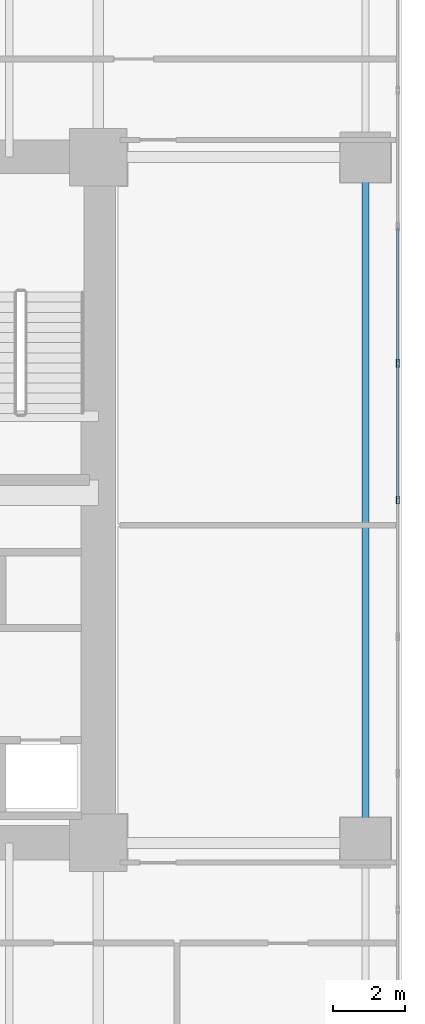
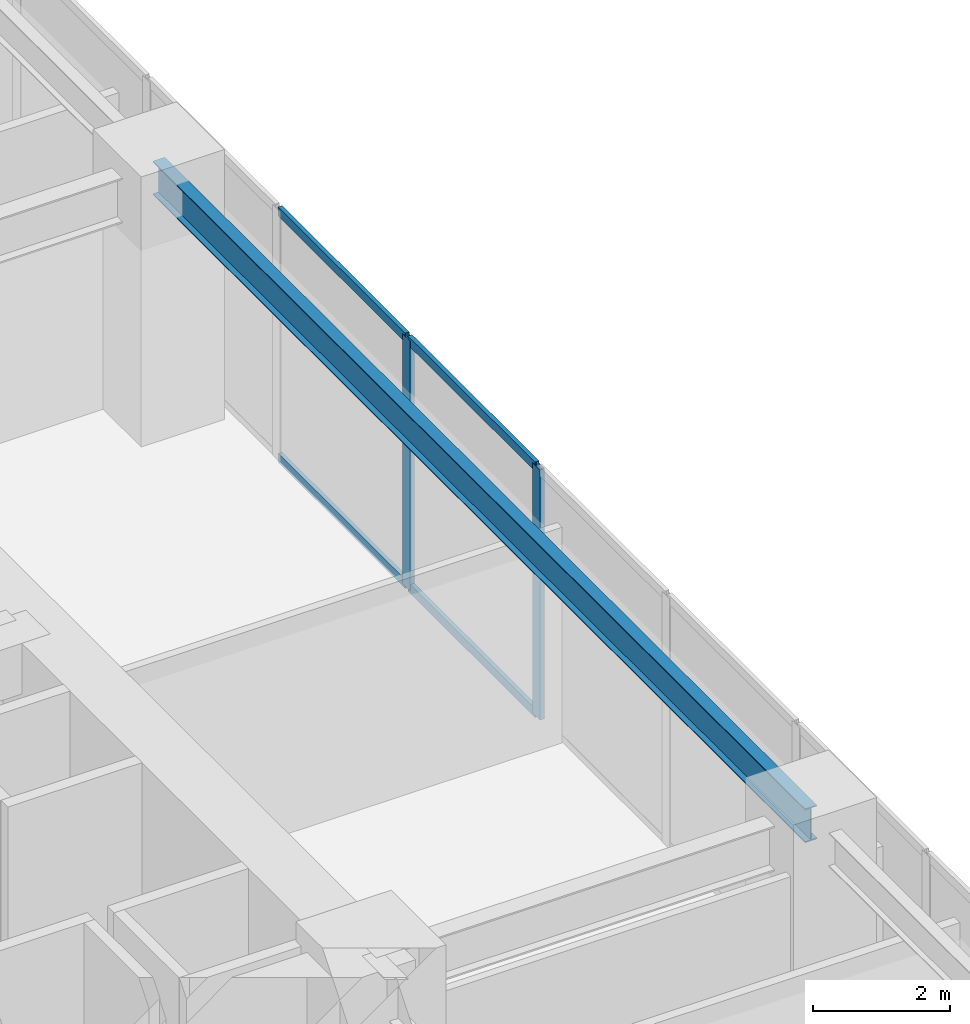
# One storey, part 20 of 33: 6 members, 1 beam, 1 element without a shape of its own.
"""IFC4 building model written with IfcOpenShell, lengths in metres."""

from ifc_helpers import new_model, si_unit, direction, frame, origin, origin_2d, place, context, subcontext, project, spatial, hollow_rectangle, i_section, extrude, source, transform, mapped, material, layer, layer_set, material_profile, profile_set, type_object, type_shapes, element, aggregate, save


model = new_model("IFC4")

# Units and contexts
model_context = context("Model", 3, precision=1e-05, world=origin(), true_north=direction((0.0, 1.0)))
body_context = subcontext(model_context, "Body", "Model", "MODEL_VIEW")
ifc_project = project(units=[si_unit("LENGTHUNIT", "METRE"), si_unit("AREAUNIT", "SQUARE_METRE"), si_unit("VOLUMEUNIT", "CUBIC_METRE"), si_unit("PLANEANGLEUNIT", "RADIAN"), si_unit("MASSUNIT", "GRAM", prefix="KILO")], contexts=[model_context])

# Site, building, storey
site_placement = place(None, origin())
site = spatial("IfcSite", under=ifc_project, at=site_placement, CompositionType="ELEMENT")
building_placement = place(site_placement, origin())
building = spatial("IfcBuilding", under=site, at=building_placement, Name="Haelvirn Gate Laboratories", CompositionType="ELEMENT")
storey_placement = place(building_placement, frame((0.0, 0.0, 10.199951171875)))
storey = spatial("IfcBuildingStorey", under=building, at=storey_placement, Name="L03", CompositionType="ELEMENT", Elevation=10.199951171875)

# Beam
ifc_material_1 = material(Name="Steel SM355", Category="steel")
ifc_material_profile_1 = material_profile(ifc_material_1, i_section(OverallWidth=0.199951171875, OverallDepth=0.60009765625, WebThickness=0.010986328125, FlangeThickness=0.01708984375, at=origin_2d()), Name="H-600x200x11x17")
ifc_profile_set_1 = profile_set([ifc_material_profile_1], Name="Steel SM355")
beam_type = type_object("IfcBeamType", Name="BM-SP-600", PredefinedType="SPANDREL", material=ifc_profile_set_1)
shared_shape_1 = source(origin(), body_context, "Body", "SweptSolid", [
    extrude(i_section(OverallWidth=0.199951171875, OverallDepth=0.60009765625, WebThickness=0.010986328125, FlangeThickness=0.01708984375, at=origin_2d()), origin(), (0.0, 0.0, 1.0), 19.0),
])
type_shapes(beam_type, [shared_shape_1])
beam_placement = place(storey_placement, frame((74.800048828125, 14.800048828125, 4.150146484375), z_axis=(0.0, 1.0, 0.0), x_axis=(-1.0, 0.0, 0.0)))
element("IfcBeam", 1, at=beam_placement, inside=storey, type_object=beam_type, Name="L03 Perimeter Spandrel X74.8 (14.8-33.8)", PredefinedType="SPANDREL", context=body_context, shape_type="MappedRepresentation", body=[
    mapped(shared_shape_1, transform((0.0, 0.0, 0.0), scale=1.0)),
])

# Curtain wall, members
ifc_material_2 = material(Name="Anodised bronze unitised aluminium & triple low-E glass", Category="aluminium")
ifc_layer = layer(ifc_material_2, 0.18798828125, Name="CW-SYS-1")
ifc_layer_set = layer_set([ifc_layer], Name="Anodised bronze unitised aluminium & triple low-E glass")
curtain_wall_type = type_object("IfcCurtainWallType", Name="CW-SYS-1", PredefinedType="NOTDEFINED", material=ifc_layer_set)
curtain_wall_placement = place(storey_placement, origin())
curtain_wall = element("IfcCurtainWall", 2, at=curtain_wall_placement, inside=storey, type_object=curtain_wall_type, Name="L03 Unitised Curtain Wall CW-L03-P1-E03", PredefinedType="NOTDEFINED")
ifc_material_3 = material(Name="Extruded aluminium 6063-T6 (anodised bronze)", Category="aluminium")
ifc_material_profile_2 = material_profile(ifc_material_3, hollow_rectangle(XDim=0.070068359375, YDim=0.159912109375, WallThickness=0.0048828125, at=origin_2d()), Name="CWT-160x70x5")
ifc_profile_set_2 = profile_set([ifc_material_profile_2], Name="Extruded aluminium 6063-T6 (anodised bronze)")
member_type_1 = type_object("IfcMemberType", Name="CWT-T160", PredefinedType="USERDEFINED", material=ifc_profile_set_2)
shared_shape_2 = source(origin(), body_context, "Body", "SweptSolid", [
    extrude(hollow_rectangle(XDim=0.070068359375, YDim=0.159912109375, WallThickness=0.0048828125, at=origin_2d()), origin(), (0.0, 0.0, 1.0), 3.703369140625),
])
member_1_placement = place(storey_placement, frame((75.699951171875, 28.123291015625, 0.03515625), z_axis=(0.0, 1.0, 0.0), x_axis=(-1.0, 0.0, 0.0)))
member_1 = element("IfcMember", 3, at=member_1_placement, type_object=member_type_1, Name="CW1 transom 8.1", ObjectType="TRANSOM", PredefinedType="USERDEFINED", context=body_context, shape_type="MappedRepresentation", body=[
    mapped(shared_shape_2, transform((0.0, 0.0, 0.0), scale=1.0)),
])
member_2_placement = place(storey_placement, frame((75.699951171875, 28.123291015625, 4.4150390625), z_axis=(0.0, 1.0, 0.0), x_axis=(-1.0, 0.0, 0.0)))
member_2 = element("IfcMember", 4, at=member_2_placement, type_object=member_type_1, Name="CW1 transom 8.2", ObjectType="TRANSOM", PredefinedType="USERDEFINED", context=body_context, shape_type="MappedRepresentation", body=[
    mapped(shared_shape_2, transform((0.0, 0.0, 0.0), scale=1.0)),
])
shared_shape_3 = source(origin(), body_context, "Body", "SweptSolid", [
    extrude(hollow_rectangle(XDim=0.070068359375, YDim=0.159912109375, WallThickness=0.0048828125, at=origin_2d()), origin(), (0.0, 0.0, 1.0), 3.703125),
])
type_shapes(member_type_1, [shared_shape_2, shared_shape_3])
member_3_placement = place(storey_placement, frame((75.699951171875, 24.340087890625, 0.03515625), z_axis=(0.0, 1.0, 0.0), x_axis=(-1.0, 0.0, 0.0)))
member_3 = element("IfcMember", 5, at=member_3_placement, type_object=member_type_1, Name="CW1 transom 7.1", ObjectType="TRANSOM", PredefinedType="USERDEFINED", context=body_context, shape_type="MappedRepresentation", body=[
    mapped(shared_shape_3, transform((0.0, 0.0, 0.0), scale=1.0)),
])
member_4_placement = place(storey_placement, frame((75.699951171875, 24.340087890625, 4.4150390625), z_axis=(0.0, 1.0, 0.0), x_axis=(-1.0, 0.0, 0.0)))
member_4 = element("IfcMember", 6, at=member_4_placement, type_object=member_type_1, Name="CW1 transom 7.2", ObjectType="TRANSOM", PredefinedType="USERDEFINED", context=body_context, shape_type="MappedRepresentation", body=[
    mapped(shared_shape_3, transform((0.0, 0.0, 0.0), scale=1.0)),
])
ifc_material_profile_3 = material_profile(ifc_material_3, hollow_rectangle(XDim=0.080078125, YDim=0.219970703125, WallThickness=0.006103515625, at=origin_2d()), Name="CWM-220x80x6")
ifc_profile_set_3 = profile_set([ifc_material_profile_3], Name="Extruded aluminium 6063-T6 (anodised bronze)")
member_type_2 = type_object("IfcMemberType", Name="CWM-T220", PredefinedType="MULLION", material=ifc_profile_set_3)
shared_shape_4 = source(origin(), body_context, "Body", "SweptSolid", [
    extrude(hollow_rectangle(XDim=0.080078125, YDim=0.219970703125, WallThickness=0.006103515625, at=origin_2d()), origin(), (0.0, 0.0, 1.0), 4.449951171875),
])
type_shapes(member_type_2, [shared_shape_4])
member_5_placement = place(storey_placement, frame((75.699951171875, 24.300048828125, 0.0), z_axis=(0.0, 0.0, 1.0), x_axis=(-1.0, 0.0, 0.0)))
member_5 = element("IfcMember", 7, at=member_5_placement, type_object=member_type_2, Name="CW1 mullion 7", PredefinedType="MULLION", context=body_context, shape_type="MappedRepresentation", body=[
    mapped(shared_shape_4, transform((0.0, 0.0, 0.0), scale=1.0)),
])
member_6_placement = place(storey_placement, frame((75.699951171875, 28.083251953125, 0.0), z_axis=(0.0, 0.0, 1.0), x_axis=(-1.0, 0.0, 0.0)))
member_6 = element("IfcMember", 8, at=member_6_placement, type_object=member_type_2, Name="CW1 mullion 8", PredefinedType="MULLION", context=body_context, shape_type="MappedRepresentation", body=[
    mapped(shared_shape_4, transform((0.0, 0.0, 0.0), scale=1.0)),
])
aggregate(curtain_wall, [member_5, member_6, member_3, member_4, member_1, member_2])

save(model, "model.ifc")
